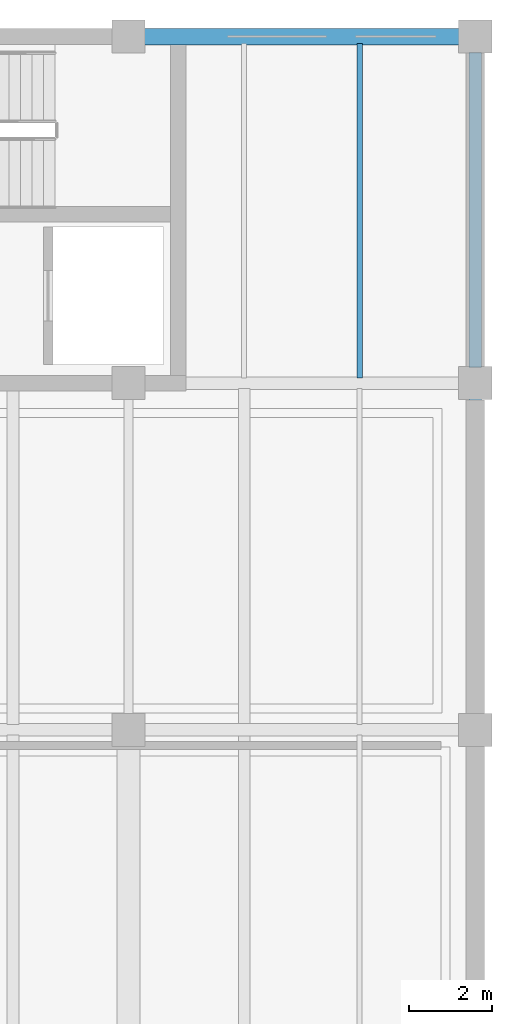
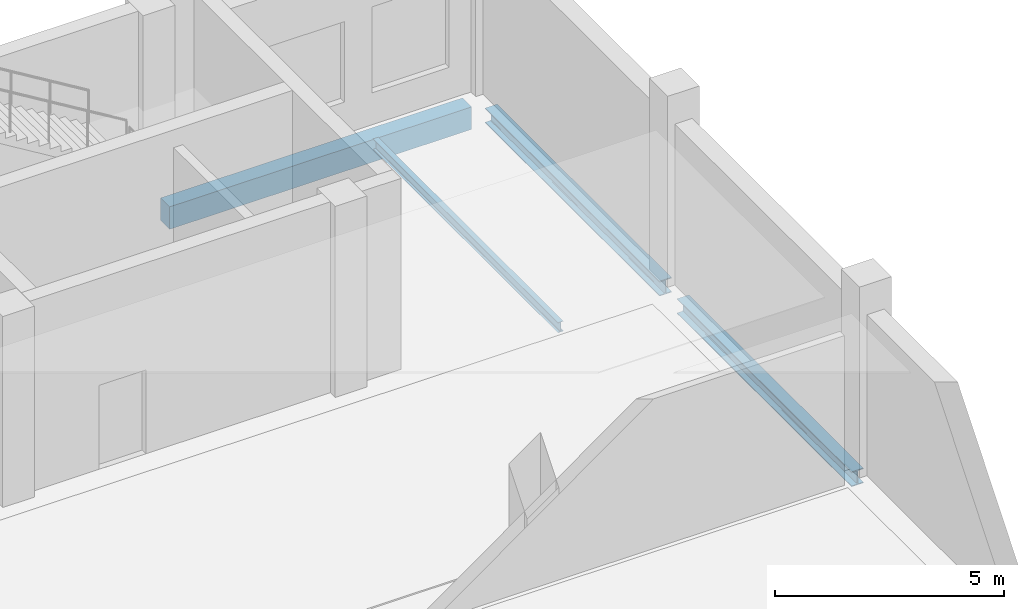
# One storey, part 47 of 73: 4 beams.
"""IFC4 building model written with IfcOpenShell, lengths in metres."""

from ifc_helpers import new_model, si_unit, direction, frame, origin, origin_2d, place, context, subcontext, project, spatial, rectangle, i_section, extrude, material, material_profile, profile_set, type_object, element, save


model = new_model("IFC4")

# Units and contexts
model_context = context("Model", 3, precision=1e-05, world=origin(), true_north=direction((0.0, 1.0)))
body_context = subcontext(model_context, "Body", "Model", "MODEL_VIEW")
ifc_project = project(units=[si_unit("LENGTHUNIT", "METRE"), si_unit("AREAUNIT", "SQUARE_METRE"), si_unit("VOLUMEUNIT", "CUBIC_METRE"), si_unit("PLANEANGLEUNIT", "RADIAN"), si_unit("MASSUNIT", "GRAM", prefix="KILO")], contexts=[model_context])

# Site, building, storey
site_placement = place(None, origin())
site = spatial("IfcSite", under=ifc_project, at=site_placement, CompositionType="ELEMENT")
building_placement = place(site_placement, origin())
building = spatial("IfcBuilding", under=site, at=building_placement, Name="Zulmaris Art Gallery", CompositionType="ELEMENT")
storey_placement = place(building_placement, frame((0.0, 0.0, 10.5)))
storey = spatial("IfcBuildingStorey", under=building, at=storey_placement, Name="L02", CompositionType="ELEMENT", Elevation=10.5)

# Beams
ifc_material_1 = material(Name="Steel S355J2", Category="steel")
ifc_material_profile_1 = material_profile(ifc_material_1, i_section(OverallWidth=0.135009765625, OverallDepth=0.27001953125, WebThickness=0.006591796875, FlangeThickness=0.01025390625, FilletRadius=0.014892578125, at=origin_2d()), Name="IPE 270")
ifc_profile_set_1 = profile_set([ifc_material_profile_1], Name="Steel S355J2")
beam_type_1 = type_object("IfcBeamType", Name="BEAM-JS02", PredefinedType="JOIST", material=ifc_profile_set_1)
beam_1_placement = place(storey_placement, frame((197.60009765625, 67.324951171875, -0.534912109375), z_axis=(0.0, 1.0, 0.0), x_axis=(-1.0, 0.0, 0.0)))
element("IfcBeam", 1, at=beam_1_placement, inside=storey, type_object=beam_type_1, Name="L02 secondary joist at x=197.6", PredefinedType="JOIST", context=body_context, shape_type="SweptSolid", body=[
    extrude(i_section(OverallWidth=0.135009765625, OverallDepth=0.27001953125, WebThickness=0.006591796875, FlangeThickness=0.01025390625, FilletRadius=0.014892578125, at=origin_2d()), origin(), (0.0, 0.0, 1.0), 8.10009765625),
])
ifc_material_profile_2 = material_profile(ifc_material_1, i_section(OverallWidth=0.300048828125, OverallDepth=0.39990234375, WebThickness=0.013427734375, FlangeThickness=0.02392578125, FilletRadius=0.027099609375, at=origin_2d()), Name="HEB 400")
ifc_profile_set_2 = profile_set([ifc_material_profile_2], Name="Steel S355J2")
beam_type_2 = type_object("IfcBeamType", Name="BEAM-SP02", PredefinedType="SPANDREL", material=ifc_profile_set_2)
beam_2_placement = place(storey_placement, frame((200.39990234375, 59.18505859375, -0.60009765625), z_axis=(0.0, 1.0, 0.0), x_axis=(-1.0, 0.0, 0.0)))
element("IfcBeam", 2, at=beam_2_placement, inside=storey, type_object=beam_type_2, Name="L02 Y-girder (x=200.4, 58.8..67.2)", PredefinedType="SPANDREL", context=body_context, shape_type="SweptSolid", body=[
    extrude(i_section(OverallWidth=0.300048828125, OverallDepth=0.39990234375, WebThickness=0.013427734375, FlangeThickness=0.02392578125, FilletRadius=0.027099609375, at=origin_2d()), origin(), (0.0, 0.0, 1.0), 7.6298828125),
])
beam_3_placement = place(storey_placement, frame((200.39990234375, 67.5849609375, -0.60009765625), z_axis=(0.0, 1.0, 0.0), x_axis=(-1.0, 0.0, 0.0)))
element("IfcBeam", 3, at=beam_3_placement, inside=storey, type_object=beam_type_2, Name="L02 Y-girder (x=200.4, 67.2..75.6)", PredefinedType="SPANDREL", context=body_context, shape_type="SweptSolid", body=[
    extrude(i_section(OverallWidth=0.300048828125, OverallDepth=0.39990234375, WebThickness=0.013427734375, FlangeThickness=0.02392578125, FilletRadius=0.027099609375, at=origin_2d()), origin(), (0.0, 0.0, 1.0), 7.630126953125),
])
ifc_material_2 = material(Name="Concrete C40/50", Category="concrete")
ifc_material_profile_3 = material_profile(ifc_material_2, rectangle(XDim=0.39990234375, YDim=0.60009765625, at=origin_2d()), Name="RC 400x600")
ifc_profile_set_3 = profile_set([ifc_material_profile_3], Name="Concrete C40/50")
beam_type_3 = type_object("IfcBeamType", Name="BEAM-SP03", PredefinedType="SPANDREL", material=ifc_profile_set_3)
beam_4_placement = place(storey_placement, frame((192.385009765625, 75.60009765625, -0.699951171875), z_axis=(1.0, 0.0, 0.0), x_axis=(0.0, 1.0, 0.0)))
element("IfcBeam", 4, at=beam_4_placement, inside=storey, type_object=beam_type_3, Name="L02 X-girder (192.0..200.4, y=75.6)", PredefinedType="SPANDREL", context=body_context, shape_type="SweptSolid", body=[
    extrude(rectangle(XDim=0.39990234375, YDim=0.60009765625, at=origin_2d()), origin(), (0.0, 0.0, 1.0), 7.6298828125),
])

save(model, "model.ifc")
